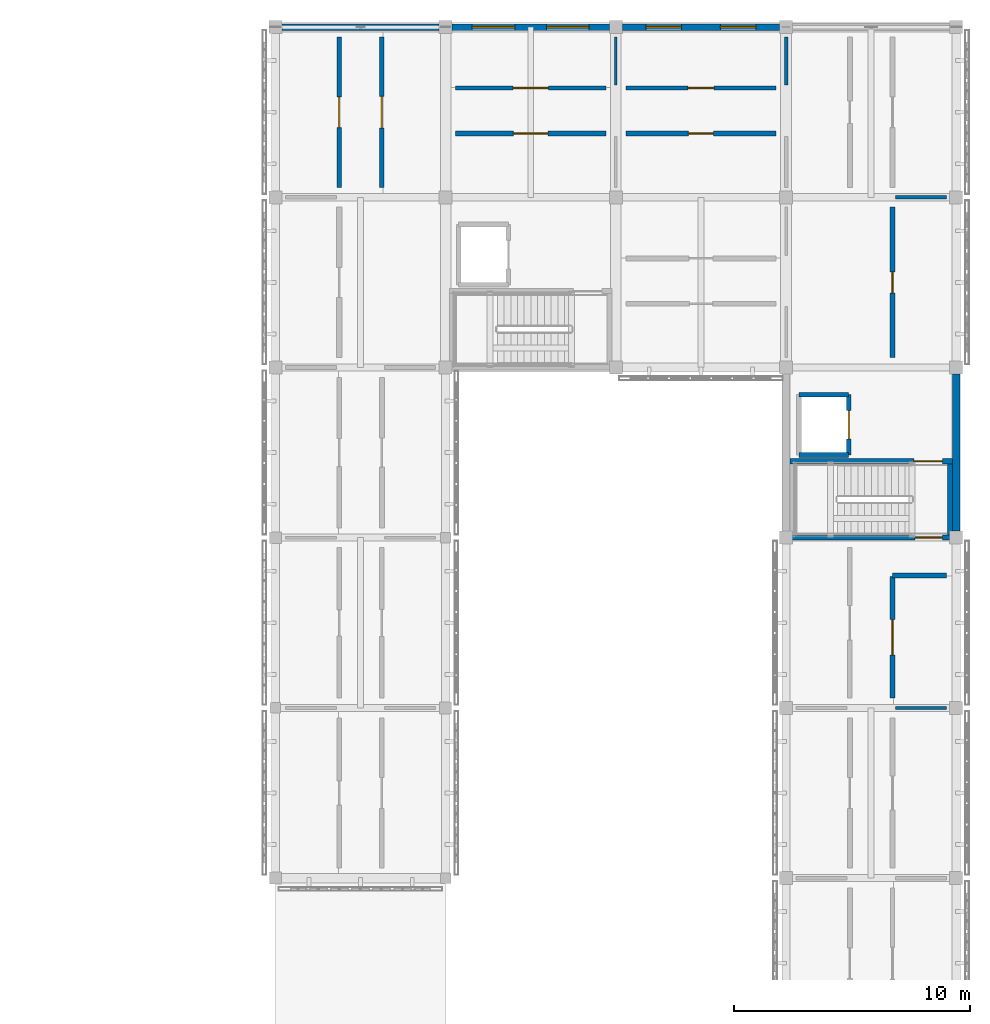
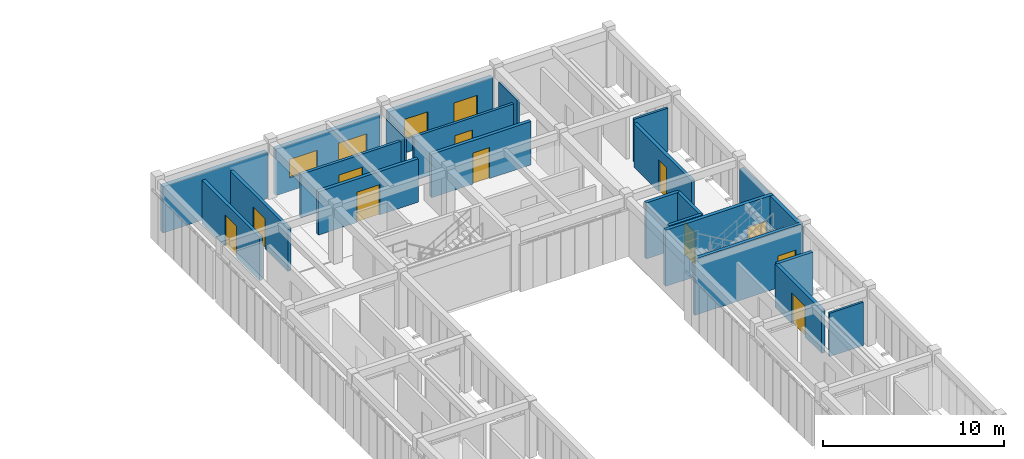
# One storey, part 59 of 67: 23 walls, 11 doors, 4 windows, 15 openings.
"""IFC4 building model written with IfcOpenShell, lengths in metres."""

from ifc_helpers import new_model, si_unit, direction, frame, frame_2d, origin, place, context, subcontext, project, spatial, rectangle, extrude, material, layer, layer_set, type_object, element, fill, save


model = new_model("IFC4")

# Units and contexts
model_context = context("Model", 3, precision=1e-05, world=origin(), true_north=direction((0.0, 1.0)))
body_context = subcontext(model_context, "Body", "Model", "MODEL_VIEW")
ifc_project = project(units=[si_unit("LENGTHUNIT", "METRE"), si_unit("AREAUNIT", "SQUARE_METRE"), si_unit("VOLUMEUNIT", "CUBIC_METRE"), si_unit("PLANEANGLEUNIT", "RADIAN"), si_unit("MASSUNIT", "GRAM", prefix="KILO")], contexts=[model_context])

# Site, building, storey
site_placement = place(None, origin())
site = spatial("IfcSite", under=ifc_project, at=site_placement, CompositionType="ELEMENT")
building_placement = place(site_placement, origin())
building = spatial("IfcBuilding", under=site, at=building_placement, Name="Aldebral Square Health Centre", CompositionType="ELEMENT")
storey_placement = place(building_placement, frame((0.0, 0.0, 13.5)))
storey = spatial("IfcBuildingStorey", under=building, at=storey_placement, Name="L03", CompositionType="ELEMENT", Elevation=13.5)

# Wall
ifc_material_1 = material(Name="Ochre mineral-rendered concrete C35/45 court wall", Category="concrete")
ifc_layer_1 = layer(ifc_material_1, 0.280029296875, Name="Ochre mineral-rendered concrete C35/45 court wall", Category="concrete")
ifc_layer_set_1 = layer_set([ifc_layer_1], Name="Ochre mineral-rendered concrete C35/45 court wall")
wall_type_1 = type_object("IfcWallType", Name="EW-OCH-280", PredefinedType="STANDARD", material=ifc_layer_set_1)
wall_1_placement = place(storey_placement, frame((143.72509765625, 115.199951171875, 0.0), z_axis=(0.0, 0.0, 1.0), x_axis=(-1.0, 0.0, 0.0)))
element("IfcWall", 1, at=wall_1_placement, inside=storey, type_object=wall_type_1, Name="L03 V5 exterior wall L03-V5-19-15-N", PredefinedType="STANDARD", context=body_context, shape_type="SweptSolid", body=[
    extrude(rectangle(XDim=6.650146484375, YDim=0.280029296875, at=frame_2d((3.3251953125, 0.0))), origin(), (0.0, 0.0, 1.0), 3.139892578125),
])

# Wall, openings, windows
wall_2_placement = place(storey_placement, frame((150.925048828125, 115.199951171875, 0.0), z_axis=(0.0, 0.0, 1.0), x_axis=(-1.0, 0.0, 0.0)))
wall_2 = element("IfcWall", 2, at=wall_2_placement, inside=storey, type_object=wall_type_1, Name="L03 V5 exterior wall L03-V5-20-15-N", PredefinedType="STANDARD", context=body_context, shape_type="SweptSolid", body=[
    extrude(rectangle(XDim=6.650146484375, YDim=0.280029296875, at=frame_2d((3.3251953125, 0.0))), origin(), (0.0, 0.0, 1.0), 3.139892578125),
])
opening_1_placement = place(wall_2_placement, frame((0.85009765625, 0.0, 0.89990234375)))
opening_1 = element("IfcOpeningElement", 3, at=opening_1_placement, cuts=wall_2, Name="Opening W07", PredefinedType="OPENING", context=body_context, shape_type="SweptSolid", body=[
    extrude(rectangle(XDim=1.800048828125, YDim=1.25, at=frame_2d((0.89990234375, 0.625))), frame((0.0, 0.14990234375, 0.0), z_axis=(0.0, -1.0, 0.0), x_axis=(1.0, 0.0, 0.0)), (0.0, 0.0, 1.0), 0.300048828125),
])
opening_2_placement = place(wall_2_placement, frame((4.0, 0.0, 0.89990234375)))
opening_2 = element("IfcOpeningElement", 4, at=opening_2_placement, cuts=wall_2, Name="Opening W07", PredefinedType="OPENING", context=body_context, shape_type="SweptSolid", body=[
    extrude(rectangle(XDim=1.800048828125, YDim=1.25, at=frame_2d((0.89990234375, 0.625))), frame((0.0, 0.14990234375, 0.0), z_axis=(0.0, -1.0, 0.0), x_axis=(1.0, 0.0, 0.0)), (0.0, 0.0, 1.0), 0.300048828125),
])
ifc_material_2 = material(Name="Thermally broken aluminium and low-E glass", Category="aluminium")
window_type_1 = type_object("IfcWindowType", Name="WIN-W07", PartitioningType="SINGLE_PANEL", PredefinedType="WINDOW", material=ifc_material_2)
window_1_placement = place(opening_1_placement, origin())
window_1 = element("IfcWindow", 5, at=window_1_placement, inside=storey, type_object=window_type_1, Name="L03 clinical window L03-V5-20-15-N.1", OverallHeight=1.25, OverallWidth=1.800048828125, PartitioningType="SINGLE_PANEL", PredefinedType="WINDOW", context=body_context, shape_type="SweptSolid", body=[
    extrude(rectangle(XDim=1.800048828125, YDim=1.25, at=frame_2d((0.89990234375, 0.625))), frame((0.0, 0.030029296875, 0.0), z_axis=(0.0, -1.0, 0.0), x_axis=(1.0, 0.0, 0.0)), (0.0, 0.0, 1.0), 0.06005859375),
])
fill(opening_1, window_1)
window_2_placement = place(opening_2_placement, origin())
window_2 = element("IfcWindow", 6, at=window_2_placement, inside=storey, type_object=window_type_1, Name="L03 clinical window L03-V5-20-15-N.2", OverallHeight=1.25, OverallWidth=1.800048828125, PartitioningType="SINGLE_PANEL", PredefinedType="WINDOW", context=body_context, shape_type="SweptSolid", body=[
    extrude(rectangle(XDim=1.800048828125, YDim=1.25, at=frame_2d((0.89990234375, 0.625))), frame((0.0, 0.030029296875, 0.0), z_axis=(0.0, -1.0, 0.0), x_axis=(1.0, 0.0, 0.0)), (0.0, 0.0, 1.0), 0.06005859375),
])
fill(opening_2, window_2)

wall_3_placement = place(storey_placement, frame((158.125, 115.199951171875, 0.0), z_axis=(0.0, 0.0, 1.0), x_axis=(-1.0, 0.0, 0.0)))
wall_3 = element("IfcWall", 7, at=wall_3_placement, inside=storey, type_object=wall_type_1, Name="L03 V5 exterior wall L03-V5-21-15-N", PredefinedType="STANDARD", context=body_context, shape_type="SweptSolid", body=[
    extrude(rectangle(XDim=6.64990234375, YDim=0.280029296875, at=frame_2d((3.324951171875, 0.0))), origin(), (0.0, 0.0, 1.0), 3.139892578125),
])
opening_3_placement = place(wall_3_placement, frame((1.0, 0.0, 0.89990234375)))
opening_3 = element("IfcOpeningElement", 8, at=opening_3_placement, cuts=wall_3, Name="Opening W14", PredefinedType="OPENING", context=body_context, shape_type="SweptSolid", body=[
    extrude(rectangle(XDim=1.5, YDim=1.3798828125, at=frame_2d((0.75, 0.68994140625))), frame((0.0, 0.14990234375, 0.0), z_axis=(0.0, -1.0, 0.0), x_axis=(1.0, 0.0, 0.0)), (0.0, 0.0, 1.0), 0.300048828125),
])
opening_4_placement = place(wall_3_placement, frame((4.14990234375, 0.0, 0.89990234375)))
opening_4 = element("IfcOpeningElement", 9, at=opening_4_placement, cuts=wall_3, Name="Opening W14", PredefinedType="OPENING", context=body_context, shape_type="SweptSolid", body=[
    extrude(rectangle(XDim=1.5, YDim=1.3798828125, at=frame_2d((0.75, 0.68994140625))), frame((0.0, 0.14990234375, 0.0), z_axis=(0.0, -1.0, 0.0), x_axis=(1.0, 0.0, 0.0)), (0.0, 0.0, 1.0), 0.300048828125),
])
window_type_2 = type_object("IfcWindowType", Name="WIN-W14", PartitioningType="SINGLE_PANEL", PredefinedType="WINDOW", material=ifc_material_2)
window_3_placement = place(opening_3_placement, origin())
window_3 = element("IfcWindow", 10, at=window_3_placement, inside=storey, type_object=window_type_2, Name="L03 clinical window L03-V5-21-15-N.1", OverallHeight=1.3798828125, OverallWidth=1.5, PartitioningType="SINGLE_PANEL", PredefinedType="WINDOW", context=body_context, shape_type="SweptSolid", body=[
    extrude(rectangle(XDim=1.5, YDim=1.3798828125, at=frame_2d((0.75, 0.68994140625))), frame((0.0, 0.030029296875, 0.0), z_axis=(0.0, -1.0, 0.0), x_axis=(1.0, 0.0, 0.0)), (0.0, 0.0, 1.0), 0.06005859375),
])
fill(opening_3, window_3)
window_4_placement = place(opening_4_placement, origin())
window_4 = element("IfcWindow", 11, at=window_4_placement, inside=storey, type_object=window_type_2, Name="L03 clinical window L03-V5-21-15-N.2", OverallHeight=1.3798828125, OverallWidth=1.5, PartitioningType="SINGLE_PANEL", PredefinedType="WINDOW", context=body_context, shape_type="SweptSolid", body=[
    extrude(rectangle(XDim=1.5, YDim=1.3798828125, at=frame_2d((0.75, 0.68994140625))), frame((0.0, 0.030029296875, 0.0), z_axis=(0.0, -1.0, 0.0), x_axis=(1.0, 0.0, 0.0)), (0.0, 0.0, 1.0), 0.06005859375),
])
fill(opening_4, window_4)

# Wall
ifc_material_3 = material(Name="Precast concrete C40/50 insulated panel", Category="concrete")
ifc_layer_2 = layer(ifc_material_3, 0.300048828125, Name="Precast concrete C40/50 insulated panel", Category="concrete")
ifc_layer_set_2 = layer_set([ifc_layer_2], Name="Precast concrete C40/50 insulated panel")
wall_type_2 = type_object("IfcWallType", Name="EW-PRE-300", PredefinedType="STANDARD", material=ifc_layer_set_2)
wall_4_placement = place(storey_placement, frame((165.60009765625, 93.875, 0.0), z_axis=(0.0, 0.0, 1.0), x_axis=(0.0, 1.0, 0.0)))
element("IfcWall", 12, at=wall_4_placement, inside=storey, type_object=wall_type_2, Name="L03 V5 exterior wall L03-V5-22-13-E", PredefinedType="STANDARD", context=body_context, shape_type="SweptSolid", body=[
    extrude(rectangle(XDim=6.64990234375, YDim=0.300048828125, at=frame_2d((3.324951171875, 0.0))), origin(), (0.0, 0.0, 1.0), 3.239990234375),
])

# Wall, opening, door
ifc_material_4 = material(Name="Concrete C35/45 compartment wall", Category="concrete")
ifc_layer_3 = layer(ifc_material_4, 0.199951171875, Name="Concrete C35/45 compartment wall", Category="concrete")
ifc_layer_set_3 = layer_set([ifc_layer_3], Name="Concrete C35/45 compartment wall")
wall_type_3 = type_object("IfcWallType", Name="IW-CMP-200", PredefinedType="SOLIDWALL", material=ifc_layer_set_3)
wall_5_placement = place(storey_placement, frame((139.5, 108.419921875, 0.0), z_axis=(0.0, 0.0, 1.0), x_axis=(0.0, 1.0, 0.0)))
wall_5 = element("IfcWall", 13, at=wall_5_placement, inside=storey, type_object=wall_type_3, Name="L03 ECG Stress Test Suite 20.16W corridor wall", PredefinedType="SOLIDWALL", context=body_context, shape_type="SweptSolid", body=[
    extrude(rectangle(XDim=6.360107421875, YDim=0.199951171875, at=frame_2d((3.18017578125, 0.0))), origin(), (0.0, 0.0, 1.0), 2.929931640625),
])
opening_5_placement = place(wall_5_placement, frame((2.530029296875, 0.0, 0.0)))
opening_5 = element("IfcOpeningElement", 14, at=opening_5_placement, cuts=wall_5, Name="Opening D-0577", PredefinedType="OPENING", context=body_context, shape_type="SweptSolid", body=[
    extrude(rectangle(XDim=1.300048828125, YDim=2.14990234375, at=frame_2d((0.64990234375, 1.074951171875))), frame((0.0, 0.10986328125, 0.0), z_axis=(0.0, -1.0, 0.0), x_axis=(1.0, 0.0, 0.0)), (0.0, 0.0, 1.0), 0.219970703125),
])
ifc_material_5 = material(Name="Radiography shielded fire door")
door_type_1 = type_object("IfcDoorType", Name="ID-IM-130", OperationType="NOTDEFINED", PredefinedType="DOOR", material=ifc_material_5)
door_1_placement = place(opening_5_placement, origin())
door_1 = element("IfcDoor", 15, at=door_1_placement, inside=storey, type_object=door_type_1, Name="L03 ECG Stress Test Suite 20.16W door", OperationType="SINGLE_SWING_RIGHT", OverallHeight=2.14990234375, OverallWidth=1.300048828125, PredefinedType="DOOR", context=body_context, shape_type="SweptSolid", body=[
    extrude(rectangle(XDim=1.300048828125, YDim=2.14990234375, at=frame_2d((0.64990234375, 1.074951171875))), frame((0.0, 0.02490234375, 0.0), z_axis=(0.0, -1.0, 0.0), x_axis=(1.0, 0.0, 0.0)), (0.0, 0.0, 1.0), 0.050048828125),
])
fill(opening_5, door_1)

wall_6_placement = place(storey_placement, frame((141.300048828125, 108.419921875, 0.0), z_axis=(0.0, 0.0, 1.0), x_axis=(0.0, 1.0, 0.0)))
wall_6 = element("IfcWall", 16, at=wall_6_placement, inside=storey, type_object=wall_type_3, Name="L03 Endocrinology Specialist Clinic 20.16E corridor wall", PredefinedType="SOLIDWALL", context=body_context, shape_type="SweptSolid", body=[
    extrude(rectangle(XDim=6.360107421875, YDim=0.199951171875, at=frame_2d((3.18017578125, 0.0))), origin(), (0.0, 0.0, 1.0), 2.929931640625),
])
opening_6_placement = place(wall_6_placement, frame((2.510009765625, 0.0, 0.0)))
opening_6 = element("IfcOpeningElement", 17, at=opening_6_placement, cuts=wall_6, Name="Opening D-0578", PredefinedType="OPENING", context=body_context, shape_type="SweptSolid", body=[
    extrude(rectangle(XDim=1.340087890625, YDim=2.0400390625, at=frame_2d((0.669921875, 1.02001953125))), frame((0.0, 0.10986328125, 0.0), z_axis=(0.0, -1.0, 0.0), x_axis=(1.0, 0.0, 0.0)), (0.0, 0.0, 1.0), 0.219970703125),
])
ifc_material_6 = material(Name="Clinical suite fire door")
door_type_2 = type_object("IfcDoorType", Name="ID-EXD-11", OperationType="NOTDEFINED", PredefinedType="DOOR", material=ifc_material_6)
door_2_placement = place(opening_6_placement, origin())
door_2 = element("IfcDoor", 18, at=door_2_placement, inside=storey, type_object=door_type_2, Name="L03 Endocrinology Specialist Clinic 20.16E door", OperationType="SINGLE_SWING_LEFT", OverallHeight=2.0400390625, OverallWidth=1.340087890625, PredefinedType="DOOR", context=body_context, shape_type="SweptSolid", body=[
    extrude(rectangle(XDim=1.340087890625, YDim=2.0400390625, at=frame_2d((0.669921875, 1.02001953125))), frame((0.0, 0.02490234375, 0.0), z_axis=(0.0, -1.0, 0.0), x_axis=(1.0, 0.0, 0.0)), (0.0, 0.0, 1.0), 0.050048828125),
])
fill(opening_6, door_2)

ifc_material_7 = material(Name="Fire-rated acoustic gypsum partition")
ifc_layer_4 = layer(ifc_material_7, 0.1650390625, Name="Fire-rated acoustic gypsum partition")
ifc_layer_set_4 = layer_set([ifc_layer_4], Name="Fire-rated acoustic gypsum partition")
wall_type_4 = type_object("IfcWallType", Name="IW-COR-165", PredefinedType="PARTITIONING", material=ifc_layer_set_4)
wall_7_placement = place(storey_placement, frame((151.6201171875, 112.6201171875, 0.0), z_axis=(0.0, 0.0, 1.0), x_axis=(1.0, 0.0, 0.0)))
wall_7 = element("IfcWall", 19, at=wall_7_placement, inside=storey, type_object=wall_type_4, Name="L03 Cardiology Diagnostic Clinic 22.16N corridor wall", PredefinedType="PARTITIONING", context=body_context, shape_type="SweptSolid", body=[
    extrude(rectangle(XDim=6.35986328125, YDim=0.1650390625, at=frame_2d((3.179931640625, 0.0))), origin(), (0.0, 0.0, 1.0), 2.929931640625),
])
opening_7_placement = place(wall_7_placement, frame((2.6298828125, 0.0, 0.0)))
opening_7 = element("IfcOpeningElement", 20, at=opening_7_placement, cuts=wall_7, Name="Opening D-0588", PredefinedType="OPENING", context=body_context, shape_type="SweptSolid", body=[
    extrude(rectangle(XDim=1.10009765625, YDim=2.090087890625, at=frame_2d((0.550048828125, 1.044921875))), frame((0.0, 0.092529296875, 0.0), z_axis=(0.0, -1.0, 0.0), x_axis=(1.0, 0.0, 0.0)), (0.0, 0.0, 1.0), 0.18505859375),
])
door_type_3 = type_object("IfcDoorType", Name="ID-EXD-21", OperationType="NOTDEFINED", PredefinedType="DOOR", material=ifc_material_6)
door_3_placement = place(opening_7_placement, origin())
door_3 = element("IfcDoor", 21, at=door_3_placement, inside=storey, type_object=door_type_3, Name="L03 Cardiology Diagnostic Clinic 22.16N door", OperationType="SINGLE_SWING_LEFT", OverallHeight=2.090087890625, OverallWidth=1.10009765625, PredefinedType="DOOR", context=body_context, shape_type="SweptSolid", body=[
    extrude(rectangle(XDim=1.10009765625, YDim=2.090087890625, at=frame_2d((0.550048828125, 1.044921875))), frame((0.0, 0.02490234375, 0.0), z_axis=(0.0, -1.0, 0.0), x_axis=(1.0, 0.0, 0.0)), (0.0, 0.0, 1.0), 0.050048828125),
])
fill(opening_7, door_3)

ifc_layer_5 = layer(ifc_material_7, 0.179931640625, Name="Fire-rated acoustic gypsum partition")
ifc_layer_set_5 = layer_set([ifc_layer_5], Name="Fire-rated acoustic gypsum partition")
wall_type_5 = type_object("IfcWallType", Name="IW-COR-180", PredefinedType="PARTITIONING", material=ifc_layer_set_5)
wall_8_placement = place(storey_placement, frame((144.419921875, 112.6201171875, 0.0), z_axis=(0.0, 0.0, 1.0), x_axis=(1.0, 0.0, 0.0)))
wall_8 = element("IfcWall", 22, at=wall_8_placement, inside=storey, type_object=wall_type_5, Name="L03 Cardiology Diagnostic Clinic 21.16N corridor wall", PredefinedType="PARTITIONING", context=body_context, shape_type="SweptSolid", body=[
    extrude(rectangle(XDim=6.360107421875, YDim=0.179931640625, at=frame_2d((3.18017578125, 0.0))), origin(), (0.0, 0.0, 1.0), 2.929931640625),
])
opening_8_placement = place(wall_8_placement, frame((2.429931640625, 0.0, 0.0)))
opening_8 = element("IfcOpeningElement", 23, at=opening_8_placement, cuts=wall_8, Name="Opening D-0582", PredefinedType="OPENING", context=body_context, shape_type="SweptSolid", body=[
    extrude(rectangle(XDim=1.5, YDim=2.0400390625, at=frame_2d((0.75, 1.02001953125))), frame((0.0, 0.10009765625, 0.0), z_axis=(0.0, -1.0, 0.0), x_axis=(1.0, 0.0, 0.0)), (0.0, 0.0, 1.0), 0.199951171875),
])
door_type_4 = type_object("IfcDoorType", Name="ID-EXD-15", OperationType="NOTDEFINED", PredefinedType="DOOR", material=ifc_material_6)
door_4_placement = place(opening_8_placement, origin())
door_4 = element("IfcDoor", 24, at=door_4_placement, inside=storey, type_object=door_type_4, Name="L03 Cardiology Diagnostic Clinic 21.16N door", OperationType="SINGLE_SWING_LEFT", OverallHeight=2.0400390625, OverallWidth=1.5, PredefinedType="DOOR", context=body_context, shape_type="SweptSolid", body=[
    extrude(rectangle(XDim=1.5, YDim=2.0400390625, at=frame_2d((0.75, 1.02001953125))), frame((0.0, 0.02490234375, 0.0), z_axis=(0.0, -1.0, 0.0), x_axis=(1.0, 0.0, 0.0)), (0.0, 0.0, 1.0), 0.050048828125),
])
fill(opening_8, door_4)

ifc_material_8 = material(Name="Concrete C40/50", Category="concrete")
ifc_layer_6 = layer(ifc_material_8, 0.219970703125, Name="Concrete C40/50", Category="concrete")
ifc_layer_set_6 = layer_set([ifc_layer_6], Name="Concrete C40/50")
wall_type_6 = type_object("IfcWallType", Name="IW-CORE-280", PredefinedType="SHEAR", material=ifc_layer_set_6)
wall_9_placement = place(storey_placement, frame((158.56005859375, 93.610107421875, 0.0), z_axis=(0.0, 0.0, 1.0), x_axis=(1.0, 0.0, 0.0)))
wall_9 = element("IfcWall", 25, at=wall_9_placement, inside=storey, type_object=wall_type_6, Name="L03 WC-C3 shaft wall S", PredefinedType="SHEAR", context=body_context, shape_type="SweptSolid", body=[
    extrude(rectangle(XDim=6.8798828125, YDim=0.219970703125, at=frame_2d((3.43994140625, 0.0))), origin(), (0.0, 0.0, 1.0), 3.7900390625),
])
opening_9_placement = place(wall_9_placement, frame((5.300048828125, 0.0, 0.0)))
opening_9 = element("IfcOpeningElement", 26, at=opening_9_placement, cuts=wall_9, Name="Opening D-0040", PredefinedType="OPENING", context=body_context, shape_type="SweptSolid", body=[
    extrude(rectangle(XDim=1.14990234375, YDim=2.14990234375, at=frame_2d((0.574951171875, 1.074951171875))), frame((0.0, 0.1201171875, 0.0), z_axis=(0.0, -1.0, 0.0), x_axis=(1.0, 0.0, 0.0)), (0.0, 0.0, 1.0), 0.239990234375),
])
ifc_material_9 = material(Name="Fire-rated steel lobby stair door", Category="steel")
door_type_5 = type_object("IfcDoorType", Name="ID-ST-115", OperationType="NOTDEFINED", PredefinedType="DOOR", material=ifc_material_9)
door_5_placement = place(opening_9_placement, origin())
door_5 = element("IfcDoor", 27, at=door_5_placement, inside=storey, type_object=door_type_5, Name="L03 ST-03 south lobby fire door", OperationType="SINGLE_SWING_LEFT", OverallHeight=2.14990234375, OverallWidth=1.14990234375, PredefinedType="DOOR", context=body_context, shape_type="SweptSolid", body=[
    extrude(rectangle(XDim=1.14990234375, YDim=2.14990234375, at=frame_2d((0.574951171875, 1.074951171875))), frame((0.0, 0.02490234375, 0.0), z_axis=(0.0, -1.0, 0.0), x_axis=(1.0, 0.0, 0.0)), (0.0, 0.0, 1.0), 0.050048828125),
])
fill(opening_9, door_5)

wall_10_placement = place(storey_placement, frame((158.56005859375, 96.830078125, 0.0), z_axis=(0.0, 0.0, 1.0), x_axis=(1.0, 0.0, 0.0)))
wall_10 = element("IfcWall", 28, at=wall_10_placement, inside=storey, type_object=wall_type_6, Name="L03 WC-C3 shaft wall N", PredefinedType="SHEAR", context=body_context, shape_type="SweptSolid", body=[
    extrude(rectangle(XDim=6.8798828125, YDim=0.219970703125, at=frame_2d((3.43994140625, 0.0))), origin(), (0.0, 0.0, 1.0), 3.7900390625),
])
opening_10_placement = place(wall_10_placement, frame((5.25, 0.0, 0.0)))
opening_10 = element("IfcOpeningElement", 29, at=opening_10_placement, cuts=wall_10, Name="Opening D-0039", PredefinedType="OPENING", context=body_context, shape_type="SweptSolid", body=[
    extrude(rectangle(XDim=1.199951171875, YDim=2.14990234375, at=frame_2d((0.60009765625, 1.074951171875))), frame((0.0, 0.1201171875, 0.0), z_axis=(0.0, -1.0, 0.0), x_axis=(1.0, 0.0, 0.0)), (0.0, 0.0, 1.0), 0.239990234375),
])
ifc_material_10 = material(Name="Fire-rated steel stair door", Category="steel")
door_type_6 = type_object("IfcDoorType", Name="ID-ST-120", OperationType="NOTDEFINED", PredefinedType="DOOR", material=ifc_material_10)
door_6_placement = place(opening_10_placement, origin())
door_6 = element("IfcDoor", 30, at=door_6_placement, inside=storey, type_object=door_type_6, Name="L03 ST-03 fire door", OperationType="SINGLE_SWING_RIGHT", OverallHeight=2.14990234375, OverallWidth=1.199951171875, PredefinedType="DOOR", context=body_context, shape_type="SweptSolid", body=[
    extrude(rectangle(XDim=1.199951171875, YDim=2.14990234375, at=frame_2d((0.60009765625, 1.074951171875))), frame((0.0, 0.02490234375, 0.0), z_axis=(0.0, -1.0, 0.0), x_axis=(1.0, 0.0, 0.0)), (0.0, 0.0, 1.0), 0.050048828125),
])
fill(opening_10, door_6)

# Walls
wall_11_placement = place(storey_placement, frame((165.330078125, 93.719970703125, 0.0), z_axis=(0.0, 0.0, 1.0), x_axis=(0.0, 1.0, 0.0)))
element("IfcWall", 31, at=wall_11_placement, inside=storey, type_object=wall_type_6, Name="L03 WC-C3 shaft wall E", PredefinedType="SHEAR", context=body_context, shape_type="SweptSolid", body=[
    extrude(rectangle(XDim=3.0, YDim=0.219970703125, at=frame_2d((1.5, 0.0))), origin(), (0.0, 0.0, 1.0), 3.7900390625),
])
ifc_layer_7 = layer(ifc_material_8, 0.199951171875, Name="Concrete C40/50", Category="concrete")
ifc_layer_set_7 = layer_set([ifc_layer_7], Name="Concrete C40/50")
wall_type_7 = type_object("IfcWallType", Name="IW-LFT-250", PredefinedType="SHEAR", material=ifc_layer_set_7)
for number, where, z_axis, x_axis, name in (
    (32, (158.949951171875, 97.10009765625, 0.0), (0.0, 0.0, 1.0), (1.0, 0.0, 0.0), "L03 LF-03 shaft wall S"),
    (33, (158.949951171875, 99.64990234375, 0.0), (0.0, 0.0, 1.0), (1.0, 0.0, 0.0), "L03 LF-03 shaft wall N"),
):
    element("IfcWall", number, at=place(storey_placement, frame(where, z_axis=z_axis, x_axis=x_axis)), inside=storey, type_object=wall_type_7, Name=name, PredefinedType="SHEAR", context=body_context, shape_type="SweptSolid", body=[
        extrude(rectangle(XDim=2.10009765625, YDim=0.199951171875, at=frame_2d((1.050048828125, 0.0))), origin(), (0.0, 0.0, 1.0), 3.7900390625),
    ])

# Wall, opening, door
wall_12_placement = place(storey_placement, frame((161.050048828125, 97.10009765625, 0.0), z_axis=(0.0, 0.0, 1.0), x_axis=(0.0, 1.0, 0.0)))
wall_12 = element("IfcWall", 34, at=wall_12_placement, inside=storey, type_object=wall_type_7, Name="L03 LF-03 landing wall", PredefinedType="SHEAR", context=body_context, shape_type="SweptSolid", body=[
    extrude(rectangle(XDim=2.5498046875, YDim=0.199951171875, at=frame_2d((1.27490234375, 0.0))), origin(), (0.0, 0.0, 1.0), 3.7900390625),
])
opening_11_placement = place(wall_12_placement, frame((0.675048828125, 0.0, 0.0)))
opening_11 = element("IfcOpeningElement", 35, at=opening_11_placement, cuts=wall_12, Name="Opening D-0041", PredefinedType="OPENING", context=body_context, shape_type="SweptSolid", body=[
    extrude(rectangle(XDim=1.199951171875, YDim=2.14990234375, at=frame_2d((0.60009765625, 1.074951171875))), frame((0.0, 0.10986328125, 0.0), z_axis=(0.0, -1.0, 0.0), x_axis=(1.0, 0.0, 0.0)), (0.0, 0.0, 1.0), 0.219970703125),
])
ifc_material_11 = material(Name="Stainless steel passenger lift landing door", Category="steel")
door_type_7 = type_object("IfcDoorType", Name="ID-LD-120", OperationType="SLIDING_TO_LEFT", PredefinedType="DOOR", material=ifc_material_11)
door_7_placement = place(opening_11_placement, origin())
door_7 = element("IfcDoor", 36, at=door_7_placement, inside=storey, type_object=door_type_7, Name="L03 LF-03 sliding landing door", OperationType="SLIDING_TO_LEFT", OverallHeight=2.14990234375, OverallWidth=1.199951171875, PredefinedType="DOOR", context=body_context, shape_type="SweptSolid", body=[
    extrude(rectangle(XDim=1.199951171875, YDim=2.14990234375, at=frame_2d((0.60009765625, 1.074951171875))), frame((0.0, 0.02490234375, 0.0), z_axis=(0.0, -1.0, 0.0), x_axis=(1.0, 0.0, 0.0)), (0.0, 0.0, 1.0), 0.050048828125),
])
fill(opening_11, door_7)

ifc_material_12 = material(Name="Moisture-resistant sanitary chase wall")
ifc_layer_8 = layer(ifc_material_12, 0.2099609375, Name="Moisture-resistant sanitary chase wall")
ifc_layer_set_8 = layer_set([ifc_layer_8], Name="Moisture-resistant sanitary chase wall")
wall_type_8 = type_object("IfcWallType", Name="IW-PLB-210", PredefinedType="PLUMBINGWALL", material=ifc_layer_set_8)
wall_13_placement = place(storey_placement, frame((144.419921875, 110.699951171875, 0.0), z_axis=(0.0, 0.0, 1.0), x_axis=(1.0, 0.0, 0.0)))
wall_13 = element("IfcWall", 37, at=wall_13_placement, inside=storey, type_object=wall_type_8, Name="L03 Patient Toilet 21.16S corridor wall", PredefinedType="PLUMBINGWALL", context=body_context, shape_type="SweptSolid", body=[
    extrude(rectangle(XDim=6.360107421875, YDim=0.2099609375, at=frame_2d((3.18017578125, 0.0))), origin(), (0.0, 0.0, 1.0), 2.929931640625),
])
opening_12_placement = place(wall_13_placement, frame((2.449951171875, 0.0, 0.0)))
opening_12 = element("IfcOpeningElement", 38, at=opening_12_placement, cuts=wall_13, Name="Opening D-0581", PredefinedType="OPENING", context=body_context, shape_type="SweptSolid", body=[
    extrude(rectangle(XDim=1.4599609375, YDim=2.0400390625, at=frame_2d((0.72998046875, 1.02001953125))), frame((0.0, 0.114990234375, 0.0), z_axis=(0.0, -1.0, 0.0), x_axis=(1.0, 0.0, 0.0)), (0.0, 0.0, 1.0), 0.22998046875),
])
door_type_8 = type_object("IfcDoorType", Name="ID-EXD-14", OperationType="NOTDEFINED", PredefinedType="DOOR", material=ifc_material_6)
door_8_placement = place(opening_12_placement, origin())
door_8 = element("IfcDoor", 39, at=door_8_placement, inside=storey, type_object=door_type_8, Name="L03 Patient Toilet 21.16S door", OperationType="SINGLE_SWING_RIGHT", OverallHeight=2.0400390625, OverallWidth=1.4599609375, PredefinedType="DOOR", context=body_context, shape_type="SweptSolid", body=[
    extrude(rectangle(XDim=1.4599609375, YDim=2.0400390625, at=frame_2d((0.72998046875, 1.02001953125))), frame((0.0, 0.02490234375, 0.0), z_axis=(0.0, -1.0, 0.0), x_axis=(1.0, 0.0, 0.0)), (0.0, 0.0, 1.0), 0.050048828125),
])
fill(opening_12, door_8)

wall_14_placement = place(storey_placement, frame((151.6201171875, 110.699951171875, 0.0), z_axis=(0.0, 0.0, 1.0), x_axis=(1.0, 0.0, 0.0)))
wall_14 = element("IfcWall", 40, at=wall_14_placement, inside=storey, type_object=wall_type_8, Name="L03 Patient Toilet 22.16S corridor wall", PredefinedType="PLUMBINGWALL", context=body_context, shape_type="SweptSolid", body=[
    extrude(rectangle(XDim=6.35986328125, YDim=0.2099609375, at=frame_2d((3.179931640625, 0.0))), origin(), (0.0, 0.0, 1.0), 2.929931640625),
])
opening_13_placement = place(wall_14_placement, frame((2.64990234375, 0.0, 0.0)))
opening_13 = element("IfcOpeningElement", 41, at=opening_13_placement, cuts=wall_14, Name="Opening D-0587", PredefinedType="OPENING", context=body_context, shape_type="SweptSolid", body=[
    extrude(rectangle(XDim=1.06005859375, YDim=2.090087890625, at=frame_2d((0.530029296875, 1.044921875))), frame((0.0, 0.114990234375, 0.0), z_axis=(0.0, -1.0, 0.0), x_axis=(1.0, 0.0, 0.0)), (0.0, 0.0, 1.0), 0.22998046875),
])
door_type_9 = type_object("IfcDoorType", Name="ID-EXD-20", OperationType="NOTDEFINED", PredefinedType="DOOR", material=ifc_material_6)
door_9_placement = place(opening_13_placement, origin())
door_9 = element("IfcDoor", 42, at=door_9_placement, inside=storey, type_object=door_type_9, Name="L03 Patient Toilet 22.16S door", OperationType="SINGLE_SWING_RIGHT", OverallHeight=2.090087890625, OverallWidth=1.06005859375, PredefinedType="DOOR", context=body_context, shape_type="SweptSolid", body=[
    extrude(rectangle(XDim=1.06005859375, YDim=2.090087890625, at=frame_2d((0.530029296875, 1.044921875))), frame((0.0, 0.02490234375, 0.0), z_axis=(0.0, -1.0, 0.0), x_axis=(1.0, 0.0, 0.0)), (0.0, 0.0, 1.0), 0.050048828125),
])
fill(opening_13, door_9)

# Wall
wall_15_placement = place(storey_placement, frame((162.89990234375, 92.0, 0.0), z_axis=(0.0, 0.0, 1.0), x_axis=(1.0, 0.0, 0.0)))
element("IfcWall", 43, at=wall_15_placement, inside=storey, type_object=wall_type_8, Name="L03 Accessible WC 23.13E lobby return wall", PredefinedType="PLUMBINGWALL", context=body_context, shape_type="SweptSolid", body=[
    extrude(rectangle(XDim=2.280029296875, YDim=0.2099609375, at=frame_2d((1.14013671875, 0.0))), origin(), (0.0, 0.0, 1.0), 2.929931640625),
])

# Wall, opening, door
wall_16_placement = place(storey_placement, frame((162.89990234375, 86.820068359375, 0.0), z_axis=(0.0, 0.0, 1.0), x_axis=(0.0, 1.0, 0.0)))
wall_16 = element("IfcWall", 44, at=wall_16_placement, inside=storey, type_object=wall_type_8, Name="L03 Accessible WC 23.13E corridor wall", PredefinedType="PLUMBINGWALL", context=body_context, shape_type="SweptSolid", body=[
    extrude(rectangle(XDim=5.1298828125, YDim=0.2099609375, at=frame_2d((2.56494140625, 0.0))), origin(), (0.0, 0.0, 1.0), 2.929931640625),
])
opening_14_placement = place(wall_16_placement, frame((1.81494140625, 0.0, 0.0)))
opening_14 = element("IfcOpeningElement", 45, at=opening_14_placement, cuts=wall_16, Name="Opening D-0598", PredefinedType="OPENING", context=body_context, shape_type="SweptSolid", body=[
    extrude(rectangle(XDim=1.5, YDim=2.090087890625, at=frame_2d((0.75, 1.044921875))), frame((0.0, 0.114990234375, 0.0), z_axis=(0.0, -1.0, 0.0), x_axis=(1.0, 0.0, 0.0)), (0.0, 0.0, 1.0), 0.22998046875),
])
door_type_10 = type_object("IfcDoorType", Name="ID-EXD-31", OperationType="NOTDEFINED", PredefinedType="DOOR", material=ifc_material_6)
door_10_placement = place(opening_14_placement, origin())
door_10 = element("IfcDoor", 46, at=door_10_placement, inside=storey, type_object=door_type_10, Name="L03 Accessible WC 23.13E door", OperationType="SINGLE_SWING_LEFT", OverallHeight=2.090087890625, OverallWidth=1.5, PredefinedType="DOOR", context=body_context, shape_type="SweptSolid", body=[
    extrude(rectangle(XDim=1.5, YDim=2.090087890625, at=frame_2d((0.75, 1.044921875))), frame((0.0, 0.02490234375, 0.0), z_axis=(0.0, -1.0, 0.0), x_axis=(1.0, 0.0, 0.0)), (0.0, 0.0, 1.0), 0.050048828125),
])
fill(opening_14, door_10)

wall_17_placement = place(storey_placement, frame((162.89990234375, 101.219970703125, 0.0), z_axis=(0.0, 0.0, 1.0), x_axis=(0.0, 1.0, 0.0)))
wall_17 = element("IfcWall", 47, at=wall_17_placement, inside=storey, type_object=wall_type_8, Name="L03 Patient Toilet 23.15E corridor wall", PredefinedType="PLUMBINGWALL", context=body_context, shape_type="SweptSolid", body=[
    extrude(rectangle(XDim=6.360107421875, YDim=0.2099609375, at=frame_2d((3.18017578125, 0.0))), origin(), (0.0, 0.0, 1.0), 2.929931640625),
])
opening_15_placement = place(wall_17_placement, frame((2.72998046875, 0.0, 0.0)))
opening_15 = element("IfcOpeningElement", 48, at=opening_15_placement, cuts=wall_17, Name="Opening D-0599", PredefinedType="OPENING", context=body_context, shape_type="SweptSolid", body=[
    extrude(rectangle(XDim=0.89990234375, YDim=2.139892578125, at=frame_2d((0.449951171875, 1.06982421875))), frame((0.0, 0.114990234375, 0.0), z_axis=(0.0, -1.0, 0.0), x_axis=(1.0, 0.0, 0.0)), (0.0, 0.0, 1.0), 0.22998046875),
])
door_type_11 = type_object("IfcDoorType", Name="ID-EXD-32", OperationType="NOTDEFINED", PredefinedType="DOOR", material=ifc_material_6)
door_11_placement = place(opening_15_placement, origin())
door_11 = element("IfcDoor", 49, at=door_11_placement, inside=storey, type_object=door_type_11, Name="L03 Patient Toilet 23.15E door", OperationType="SINGLE_SWING_RIGHT", OverallHeight=2.139892578125, OverallWidth=0.89990234375, PredefinedType="DOOR", context=body_context, shape_type="SweptSolid", body=[
    extrude(rectangle(XDim=0.89990234375, YDim=2.139892578125, at=frame_2d((0.449951171875, 1.06982421875))), frame((0.0, 0.02490234375, 0.0), z_axis=(0.0, -1.0, 0.0), x_axis=(1.0, 0.0, 0.0)), (0.0, 0.0, 1.0), 0.050048828125),
])
fill(opening_15, door_11)

# Walls
ifc_material_13 = material(Name="Lightweight clinical partition")
ifc_layer_9 = layer(ifc_material_13, 0.10498046875, Name="Lightweight clinical partition")
ifc_layer_set_9 = layer_set([ifc_layer_9], Name="Lightweight clinical partition")
wall_type_9 = type_object("IfcWallType", Name="IW-PRT-105", PredefinedType="PARTITIONING", material=ifc_layer_set_9)
wall_18_placement = place(storey_placement, frame((151.199951171875, 112.739990234375, 0.0), z_axis=(0.0, 0.0, 1.0), x_axis=(0.0, 1.0, 0.0)))
element("IfcWall", 50, at=wall_18_placement, inside=storey, type_object=wall_type_9, Name="L03 Cardiology Diagnostic Clinic 21.16N demising partition", PredefinedType="PARTITIONING", context=body_context, shape_type="SweptSolid", body=[
    extrude(rectangle(XDim=2.0400390625, YDim=0.10498046875, at=frame_2d((1.02001953125, 0.0))), origin(), (0.0, 0.0, 1.0), 2.929931640625),
])
ifc_material_14 = material(Name="Acoustic clinical gypsum partition")
ifc_layer_10 = layer(ifc_material_14, 0.135009765625, Name="Acoustic clinical gypsum partition")
ifc_layer_set_10 = layer_set([ifc_layer_10], Name="Acoustic clinical gypsum partition")
wall_type_10 = type_object("IfcWallType", Name="IW-PRT-135", PredefinedType="PARTITIONING", material=ifc_layer_set_10)
wall_19_placement = place(storey_placement, frame((163.02001953125, 86.39990234375, 0.0), z_axis=(0.0, 0.0, 1.0), x_axis=(1.0, 0.0, 0.0)))
element("IfcWall", 51, at=wall_19_placement, inside=storey, type_object=wall_type_10, Name="L03 Endocrinology Specialist Clinic 23.12E demising partition", PredefinedType="PARTITIONING", context=body_context, shape_type="SweptSolid", body=[
    extrude(rectangle(XDim=2.159912109375, YDim=0.135009765625, at=frame_2d((1.080078125, 0.0))), origin(), (0.0, 0.0, 1.0), 2.929931640625),
])
ifc_layer_11 = layer(ifc_material_14, 0.14990234375, Name="Acoustic clinical gypsum partition")
ifc_layer_set_11 = layer_set([ifc_layer_11], Name="Acoustic clinical gypsum partition")
wall_type_11 = type_object("IfcWallType", Name="IW-PRT-150", PredefinedType="PARTITIONING", material=ifc_layer_set_11)
wall_20_placement = place(storey_placement, frame((158.39990234375, 112.739990234375, 0.0), z_axis=(0.0, 0.0, 1.0), x_axis=(0.0, 1.0, 0.0)))
element("IfcWall", 52, at=wall_20_placement, inside=storey, type_object=wall_type_11, Name="L03 Cardiology Diagnostic Clinic 22.16N demising partition", PredefinedType="PARTITIONING", context=body_context, shape_type="SweptSolid", body=[
    extrude(rectangle(XDim=2.0400390625, YDim=0.14990234375, at=frame_2d((1.02001953125, 0.0))), origin(), (0.0, 0.0, 1.0), 2.929931640625),
])
wall_21_placement = place(storey_placement, frame((163.02001953125, 108.0, 0.0), z_axis=(0.0, 0.0, 1.0), x_axis=(1.0, 0.0, 0.0)))
element("IfcWall", 53, at=wall_21_placement, inside=storey, type_object=wall_type_11, Name="L03 Patient Toilet 23.15E demising partition", PredefinedType="PARTITIONING", context=body_context, shape_type="SweptSolid", body=[
    extrude(rectangle(XDim=2.159912109375, YDim=0.14990234375, at=frame_2d((1.080078125, 0.0))), origin(), (0.0, 0.0, 1.0), 2.929931640625),
])

save(model, "model.ifc")
